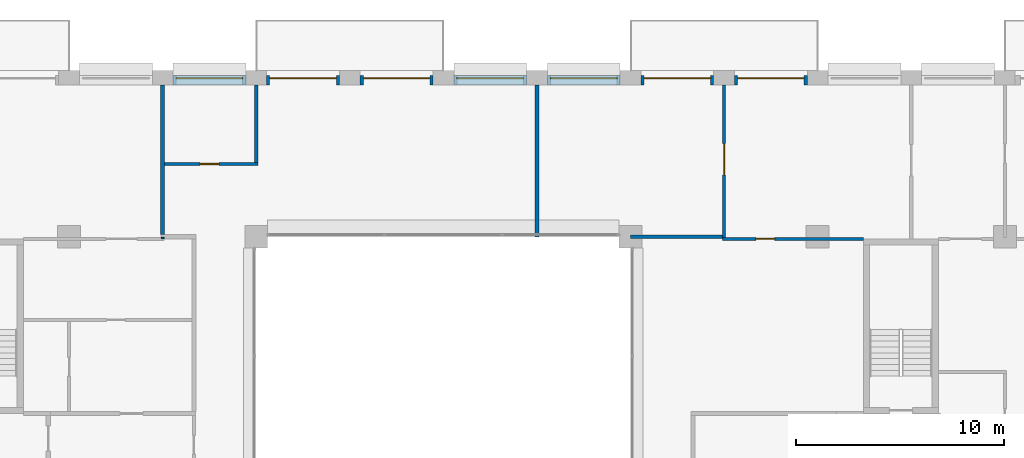
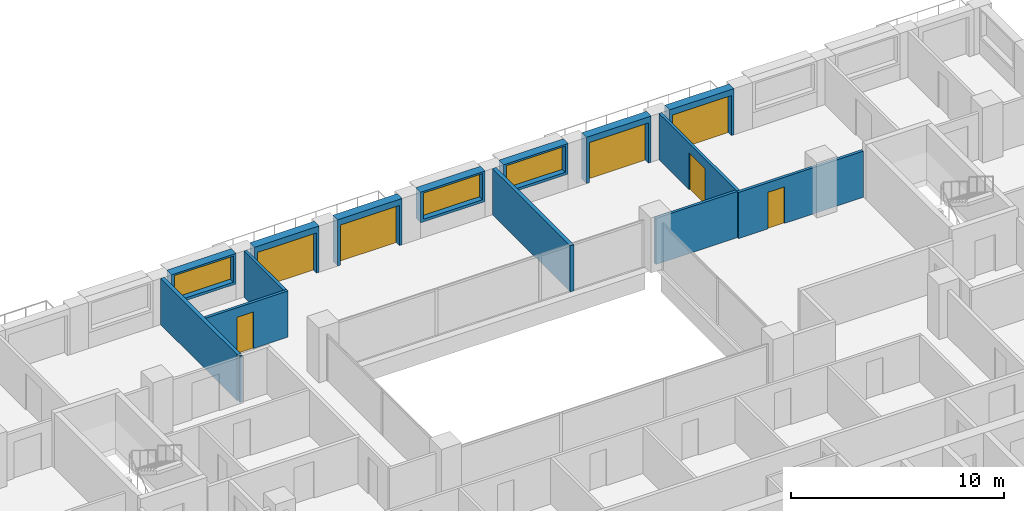
# One storey, part 13 of 16: 15 walls, 7 doors, 3 windows, 10 openings.
"""IFC4 building model written with IfcOpenShell, lengths in metres."""

from ifc_helpers import new_model, si_unit, direction, frame, frame_2d, origin, place, context, subcontext, project, spatial, rectangle, extrude, material, layer, layer_set, type_object, element, fill, save


model = new_model("IFC4")

# Units and contexts
model_context = context("Model", 3, precision=1e-05, world=origin(), true_north=direction((0.0, 1.0)))
body_context = subcontext(model_context, "Body", "Model", "MODEL_VIEW")
ifc_project = project(units=[si_unit("LENGTHUNIT", "METRE"), si_unit("AREAUNIT", "SQUARE_METRE"), si_unit("VOLUMEUNIT", "CUBIC_METRE"), si_unit("PLANEANGLEUNIT", "RADIAN"), si_unit("MASSUNIT", "GRAM", prefix="KILO")], contexts=[model_context])

# Site, building, storey
site_placement = place(None, origin())
site = spatial("IfcSite", under=ifc_project, at=site_placement, CompositionType="ELEMENT")
building_placement = place(site_placement, origin())
building = spatial("IfcBuilding", under=site, at=building_placement, Name="Brigalow Station Residences", CompositionType="ELEMENT")
storey_placement = place(building_placement, frame((0.0, 0.0, 182.25)))
storey = spatial("IfcBuildingStorey", under=building, at=storey_placement, Name="L53", CompositionType="ELEMENT", Elevation=182.25)

# Wall, opening, door
ifc_material_1 = material(Name="Clay brick masonry", Category="masonry")
ifc_layer_1 = layer(ifc_material_1, 0.449951171875)
ifc_layer_set_1 = layer_set([ifc_layer_1], Name="BRICK INFILL WALL 450")
wall_type_1 = type_object("IfcWallType", Name="BRICK INFILL WALL 450", PredefinedType="SOLIDWALL", material=ifc_layer_set_1)
wall_1_placement = place(storey_placement, frame((53.5, 43.02490234375, 0.0), z_axis=(0.0, 0.0, 1.0), x_axis=(-1.0, 0.0, 0.0)))
wall_1 = element("IfcWall", 1, at=wall_1_placement, inside=storey, type_object=wall_type_1, Name="L53/ewall/W-L53-25", PredefinedType="SOLIDWALL", context=body_context, shape_type="SweptSolid", body=[
    extrude(rectangle(XDim=3.5, YDim=0.449951171875, at=frame_2d((1.75, 0.0))), origin(), (0.0, 0.0, 1.0), 2.64990234375),
])
opening_1_placement = place(wall_1_placement, frame((0.14990234375, 0.0, 0.0)))
opening_1 = element("IfcOpeningElement", 2, at=opening_1_placement, cuts=wall_1, Name="Opening D-B3200", PredefinedType="OPENING", context=body_context, shape_type="SweptSolid", body=[
    extrude(rectangle(XDim=3.199951171875, YDim=2.300048828125, at=frame_2d((1.60009765625, 1.14990234375))), frame((0.0, 0.23486328125, 0.0), z_axis=(0.0, -1.0, 0.0), x_axis=(1.0, 0.0, 0.0)), (0.0, 0.0, 1.0), 0.469970703125),
])
ifc_material_2 = material(Name="Anodised aluminium frame with double glazing", Category="aluminium")
door_type_1 = type_object("IfcDoorType", Name="BALCONY SLIDING DOOR 3200x2300", OperationType="SLIDING_TO_LEFT", PredefinedType="DOOR", material=ifc_material_2)
door_1_placement = place(opening_1_placement, origin())
door_1 = element("IfcDoor", 3, at=door_1_placement, inside=storey, type_object=door_type_1, Name="L53/balcony-door/W-L53-25", OperationType="SLIDING_TO_LEFT", OverallHeight=2.300048828125, OverallWidth=3.199951171875, PredefinedType="DOOR", context=body_context, shape_type="SweptSolid", body=[
    extrude(rectangle(XDim=3.199951171875, YDim=2.300048828125, at=frame_2d((1.60009765625, 1.14990234375))), frame((0.0, -0.06982421875, 0.0), z_axis=(0.0, -1.0, 0.0), x_axis=(1.0, 0.0, 0.0)), (0.0, 0.0, 1.0), 0.050048828125),
])
fill(opening_1, door_1)

wall_2_placement = place(storey_placement, frame((49.0, 43.02490234375, 0.0), z_axis=(0.0, 0.0, 1.0), x_axis=(-1.0, 0.0, 0.0)))
wall_2 = element("IfcWall", 4, at=wall_2_placement, inside=storey, type_object=wall_type_1, Name="L53/ewall/W-L53-26", PredefinedType="SOLIDWALL", context=body_context, shape_type="SweptSolid", body=[
    extrude(rectangle(XDim=3.5, YDim=0.449951171875, at=frame_2d((1.75, 0.0))), origin(), (0.0, 0.0, 1.0), 2.64990234375),
])
opening_2_placement = place(wall_2_placement, frame((0.14990234375, 0.0, 0.0)))
opening_2 = element("IfcOpeningElement", 5, at=opening_2_placement, cuts=wall_2, Name="Opening D-B3200", PredefinedType="OPENING", context=body_context, shape_type="SweptSolid", body=[
    extrude(rectangle(XDim=3.199951171875, YDim=2.300048828125, at=frame_2d((1.60009765625, 1.14990234375))), frame((0.0, 0.23486328125, 0.0), z_axis=(0.0, -1.0, 0.0), x_axis=(1.0, 0.0, 0.0)), (0.0, 0.0, 1.0), 0.469970703125),
])
door_2_placement = place(opening_2_placement, origin())
door_2 = element("IfcDoor", 6, at=door_2_placement, inside=storey, type_object=door_type_1, Name="L53/balcony-door/W-L53-26", OperationType="SLIDING_TO_LEFT", OverallHeight=2.300048828125, OverallWidth=3.199951171875, PredefinedType="DOOR", context=body_context, shape_type="SweptSolid", body=[
    extrude(rectangle(XDim=3.199951171875, YDim=2.300048828125, at=frame_2d((1.60009765625, 1.14990234375))), frame((0.0, -0.06982421875, 0.0), z_axis=(0.0, -1.0, 0.0), x_axis=(1.0, 0.0, 0.0)), (0.0, 0.0, 1.0), 0.050048828125),
])
fill(opening_2, door_2)

# Wall, opening, window
wall_3_placement = place(storey_placement, frame((44.5, 43.02490234375, 0.89990234375), z_axis=(0.0, 0.0, 1.0), x_axis=(-1.0, 0.0, 0.0)))
wall_3 = element("IfcWall", 7, at=wall_3_placement, inside=storey, type_object=wall_type_1, Name="L53/ewall/W-L53-27", PredefinedType="SOLIDWALL", context=body_context, shape_type="SweptSolid", body=[
    extrude(rectangle(XDim=3.5, YDim=0.449951171875, at=frame_2d((1.75, 0.0))), origin(), (0.0, 0.0, 1.0), 1.75),
])
opening_3_placement = place(wall_3_placement, frame((0.14990234375, 0.0, 0.14990234375)))
opening_3 = element("IfcOpeningElement", 8, at=opening_3_placement, cuts=wall_3, Name="Opening WT-9", PredefinedType="OPENING", context=body_context, shape_type="SweptSolid", body=[
    extrude(rectangle(XDim=3.199951171875, YDim=1.5, at=frame_2d((1.60009765625, 0.75))), frame((0.0, 0.23486328125, 0.0), z_axis=(0.0, -1.0, 0.0), x_axis=(1.0, 0.0, 0.0)), (0.0, 0.0, 1.0), 0.469970703125),
])
ifc_material_3 = material(Name="Anodised aluminium frame with double glazing", Category="aluminium")
window_type = type_object("IfcWindowType", Name="WINDOW 3200x1500", PartitioningType="SINGLE_PANEL", PredefinedType="WINDOW", material=ifc_material_3)
window_1_placement = place(opening_3_placement, origin())
window_1 = element("IfcWindow", 9, at=window_1_placement, inside=storey, type_object=window_type, Name="L53/window/W-L53-27", OverallHeight=1.5, OverallWidth=3.199951171875, PartitioningType="SINGLE_PANEL", PredefinedType="WINDOW", context=body_context, shape_type="SweptSolid", body=[
    extrude(rectangle(XDim=3.199951171875, YDim=1.5, at=frame_2d((1.60009765625, 0.75))), frame((0.0, -0.06494140625, 0.0), z_axis=(0.0, -1.0, 0.0), x_axis=(1.0, 0.0, 0.0)), (0.0, 0.0, 1.0), 0.06005859375),
])
fill(opening_3, window_1)

wall_4_placement = place(storey_placement, frame((40.0, 43.02490234375, 0.89990234375), z_axis=(0.0, 0.0, 1.0), x_axis=(-1.0, 0.0, 0.0)))
wall_4 = element("IfcWall", 10, at=wall_4_placement, inside=storey, type_object=wall_type_1, Name="L53/ewall/W-L53-28", PredefinedType="SOLIDWALL", context=body_context, shape_type="SweptSolid", body=[
    extrude(rectangle(XDim=3.5, YDim=0.449951171875, at=frame_2d((1.75, 0.0))), origin(), (0.0, 0.0, 1.0), 1.75),
])
opening_4_placement = place(wall_4_placement, frame((0.14990234375, 0.0, 0.14990234375)))
opening_4 = element("IfcOpeningElement", 11, at=opening_4_placement, cuts=wall_4, Name="Opening WT-9", PredefinedType="OPENING", context=body_context, shape_type="SweptSolid", body=[
    extrude(rectangle(XDim=3.199951171875, YDim=1.5, at=frame_2d((1.60009765625, 0.75))), frame((0.0, 0.23486328125, 0.0), z_axis=(0.0, -1.0, 0.0), x_axis=(1.0, 0.0, 0.0)), (0.0, 0.0, 1.0), 0.469970703125),
])
window_2_placement = place(opening_4_placement, origin())
window_2 = element("IfcWindow", 12, at=window_2_placement, inside=storey, type_object=window_type, Name="L53/window/W-L53-28", OverallHeight=1.5, OverallWidth=3.199951171875, PartitioningType="SINGLE_PANEL", PredefinedType="WINDOW", context=body_context, shape_type="SweptSolid", body=[
    extrude(rectangle(XDim=3.199951171875, YDim=1.5, at=frame_2d((1.60009765625, 0.75))), frame((0.0, -0.06494140625, 0.0), z_axis=(0.0, -1.0, 0.0), x_axis=(1.0, 0.0, 0.0)), (0.0, 0.0, 1.0), 0.06005859375),
])
fill(opening_4, window_2)

# Wall, opening, door
wall_5_placement = place(storey_placement, frame((35.5, 43.02490234375, 0.0), z_axis=(0.0, 0.0, 1.0), x_axis=(-1.0, 0.0, 0.0)))
wall_5 = element("IfcWall", 13, at=wall_5_placement, inside=storey, type_object=wall_type_1, Name="L53/ewall/W-L53-29", PredefinedType="SOLIDWALL", context=body_context, shape_type="SweptSolid", body=[
    extrude(rectangle(XDim=3.5, YDim=0.449951171875, at=frame_2d((1.75, 0.0))), origin(), (0.0, 0.0, 1.0), 2.64990234375),
])
opening_5_placement = place(wall_5_placement, frame((0.14990234375, 0.0, 0.0)))
opening_5 = element("IfcOpeningElement", 14, at=opening_5_placement, cuts=wall_5, Name="Opening D-B3200", PredefinedType="OPENING", context=body_context, shape_type="SweptSolid", body=[
    extrude(rectangle(XDim=3.199951171875, YDim=2.300048828125, at=frame_2d((1.60009765625, 1.14990234375))), frame((0.0, 0.23486328125, 0.0), z_axis=(0.0, -1.0, 0.0), x_axis=(1.0, 0.0, 0.0)), (0.0, 0.0, 1.0), 0.469970703125),
])
door_3_placement = place(opening_5_placement, origin())
door_3 = element("IfcDoor", 15, at=door_3_placement, inside=storey, type_object=door_type_1, Name="L53/balcony-door/W-L53-29", OperationType="SLIDING_TO_LEFT", OverallHeight=2.300048828125, OverallWidth=3.199951171875, PredefinedType="DOOR", context=body_context, shape_type="SweptSolid", body=[
    extrude(rectangle(XDim=3.199951171875, YDim=2.300048828125, at=frame_2d((1.60009765625, 1.14990234375))), frame((0.0, -0.06982421875, 0.0), z_axis=(0.0, -1.0, 0.0), x_axis=(1.0, 0.0, 0.0)), (0.0, 0.0, 1.0), 0.050048828125),
])
fill(opening_5, door_3)

wall_6_placement = place(storey_placement, frame((31.0, 43.02490234375, 0.0), z_axis=(0.0, 0.0, 1.0), x_axis=(-1.0, 0.0, 0.0)))
wall_6 = element("IfcWall", 16, at=wall_6_placement, inside=storey, type_object=wall_type_1, Name="L53/ewall/W-L53-30", PredefinedType="SOLIDWALL", context=body_context, shape_type="SweptSolid", body=[
    extrude(rectangle(XDim=3.5, YDim=0.449951171875, at=frame_2d((1.75, 0.0))), origin(), (0.0, 0.0, 1.0), 2.64990234375),
])
opening_6_placement = place(wall_6_placement, frame((0.14990234375, 0.0, 0.0)))
opening_6 = element("IfcOpeningElement", 17, at=opening_6_placement, cuts=wall_6, Name="Opening D-B3200", PredefinedType="OPENING", context=body_context, shape_type="SweptSolid", body=[
    extrude(rectangle(XDim=3.199951171875, YDim=2.300048828125, at=frame_2d((1.60009765625, 1.14990234375))), frame((0.0, 0.23486328125, 0.0), z_axis=(0.0, -1.0, 0.0), x_axis=(1.0, 0.0, 0.0)), (0.0, 0.0, 1.0), 0.469970703125),
])
door_4_placement = place(opening_6_placement, origin())
door_4 = element("IfcDoor", 18, at=door_4_placement, inside=storey, type_object=door_type_1, Name="L53/balcony-door/W-L53-30", OperationType="SLIDING_TO_LEFT", OverallHeight=2.300048828125, OverallWidth=3.199951171875, PredefinedType="DOOR", context=body_context, shape_type="SweptSolid", body=[
    extrude(rectangle(XDim=3.199951171875, YDim=2.300048828125, at=frame_2d((1.60009765625, 1.14990234375))), frame((0.0, -0.06982421875, 0.0), z_axis=(0.0, -1.0, 0.0), x_axis=(1.0, 0.0, 0.0)), (0.0, 0.0, 1.0), 0.050048828125),
])
fill(opening_6, door_4)

# Wall, opening, window
wall_7_placement = place(storey_placement, frame((26.5, 43.02490234375, 0.89990234375), z_axis=(0.0, 0.0, 1.0), x_axis=(-1.0, 0.0, 0.0)))
wall_7 = element("IfcWall", 19, at=wall_7_placement, inside=storey, type_object=wall_type_1, Name="L53/ewall/W-L53-31", PredefinedType="SOLIDWALL", context=body_context, shape_type="SweptSolid", body=[
    extrude(rectangle(XDim=3.5, YDim=0.449951171875, at=frame_2d((1.75, 0.0))), origin(), (0.0, 0.0, 1.0), 1.75),
])
opening_7_placement = place(wall_7_placement, frame((0.14990234375, 0.0, 0.14990234375)))
opening_7 = element("IfcOpeningElement", 20, at=opening_7_placement, cuts=wall_7, Name="Opening WT-9", PredefinedType="OPENING", context=body_context, shape_type="SweptSolid", body=[
    extrude(rectangle(XDim=3.199951171875, YDim=1.5, at=frame_2d((1.60009765625, 0.75))), frame((0.0, 0.23486328125, 0.0), z_axis=(0.0, -1.0, 0.0), x_axis=(1.0, 0.0, 0.0)), (0.0, 0.0, 1.0), 0.469970703125),
])
window_3_placement = place(opening_7_placement, origin())
window_3 = element("IfcWindow", 21, at=window_3_placement, inside=storey, type_object=window_type, Name="L53/window/W-L53-31", OverallHeight=1.5, OverallWidth=3.199951171875, PartitioningType="SINGLE_PANEL", PredefinedType="WINDOW", context=body_context, shape_type="SweptSolid", body=[
    extrude(rectangle(XDim=3.199951171875, YDim=1.5, at=frame_2d((1.60009765625, 0.75))), frame((0.0, -0.06494140625, 0.0), z_axis=(0.0, -1.0, 0.0), x_axis=(1.0, 0.0, 0.0)), (0.0, 0.0, 1.0), 0.06005859375),
])
fill(opening_7, window_3)

# Wall, opening, door
ifc_material_4 = material(Name="Plasterboard on steel stud partition", Category="steel")
ifc_layer_2 = layer(ifc_material_4, 0.14990234375)
ifc_layer_set_2 = layer_set([ifc_layer_2], Name="FLAT PARTITION 150")
wall_type_2 = type_object("IfcWallType", Name="FLAT PARTITION 150", PredefinedType="PARTITIONING", material=ifc_layer_set_2)
wall_8_placement = place(storey_placement, frame((49.425048828125, 35.39990234375, 0.0), z_axis=(0.0, 0.0, 1.0), x_axis=(1.0, 0.0, 0.0)))
wall_8 = element("IfcWall", 22, at=wall_8_placement, inside=storey, type_object=wall_type_2, Name="PW-3F12", PredefinedType="PARTITIONING", context=body_context, shape_type="SweptSolid", body=[
    extrude(rectangle(XDim=6.77490234375, YDim=0.14990234375, at=frame_2d((3.387451171875, 0.0))), origin(), (0.0, 0.0, 1.0), 2.64990234375),
])
opening_8_placement = place(wall_8_placement, frame((1.60009765625, 0.0, 0.0)))
opening_8 = element("IfcOpeningElement", 23, at=opening_8_placement, cuts=wall_8, Name="Opening D-3F34", PredefinedType="OPENING", context=body_context, shape_type="SweptSolid", body=[
    extrude(rectangle(XDim=0.89990234375, YDim=2.10009765625, at=frame_2d((0.449951171875, 1.050048828125))), frame((0.0, 0.0849609375, 0.0), z_axis=(0.0, -1.0, 0.0), x_axis=(1.0, 0.0, 0.0)), (0.0, 0.0, 1.0), 0.169921875),
])
ifc_material_5 = material(Name="Solid-core timber door leaf", Category="wood")
door_type_2 = type_object("IfcDoorType", Name="INTERNAL DOOR 900 x 2100", OperationType="SINGLE_SWING_LEFT", PredefinedType="DOOR", material=ifc_material_5)
door_5_placement = place(opening_8_placement, origin())
door_5 = element("IfcDoor", 24, at=door_5_placement, inside=storey, type_object=door_type_2, Name="D-3F34", OperationType="SINGLE_SWING_LEFT", OverallHeight=2.10009765625, OverallWidth=0.89990234375, PredefinedType="DOOR", context=body_context, shape_type="SweptSolid", body=[
    extrude(rectangle(XDim=0.89990234375, YDim=2.10009765625, at=frame_2d((0.449951171875, 1.050048828125))), frame((0.0, 0.02490234375, 0.0), z_axis=(0.0, -1.0, 0.0), x_axis=(1.0, 0.0, 0.0)), (0.0, 0.0, 1.0), 0.050048828125),
])
fill(opening_8, door_5)

# Wall
wall_9_placement = place(storey_placement, frame((45.0, 35.5, 0.0), z_axis=(0.0, 0.0, 1.0), x_axis=(1.0, 0.0, 0.0)))
element("IfcWall", 25, at=wall_9_placement, inside=storey, type_object=wall_type_2, Name="PW-3F14", PredefinedType="PARTITIONING", context=body_context, shape_type="SweptSolid", body=[
    extrude(rectangle(XDim=4.425048828125, YDim=0.14990234375, at=frame_2d((2.21240234375, 0.0))), origin(), (0.0, 0.0, 1.0), 2.64990234375),
])

# Wall, opening, door
wall_10_placement = place(storey_placement, frame((22.60009765625, 39.0, 0.0), z_axis=(0.0, 0.0, 1.0), x_axis=(1.0, 0.0, 0.0)))
wall_10 = element("IfcWall", 26, at=wall_10_placement, inside=storey, type_object=wall_type_2, Name="PW-3F26", PredefinedType="PARTITIONING", context=body_context, shape_type="SweptSolid", body=[
    extrude(rectangle(XDim=4.474853515625, YDim=0.14990234375, at=frame_2d((2.2373046875, 0.0))), origin(), (0.0, 0.0, 1.0), 2.64990234375),
])
opening_9_placement = place(wall_10_placement, frame((1.699951171875, 0.0, 0.0)))
opening_9 = element("IfcOpeningElement", 27, at=opening_9_placement, cuts=wall_10, Name="Opening D-3F37", PredefinedType="OPENING", context=body_context, shape_type="SweptSolid", body=[
    extrude(rectangle(XDim=0.89990234375, YDim=2.10009765625, at=frame_2d((0.449951171875, 1.050048828125))), frame((0.0, 0.0849609375, 0.0), z_axis=(0.0, -1.0, 0.0), x_axis=(1.0, 0.0, 0.0)), (0.0, 0.0, 1.0), 0.169921875),
])
door_6_placement = place(opening_9_placement, origin())
door_6 = element("IfcDoor", 28, at=door_6_placement, inside=storey, type_object=door_type_2, Name="D-3F37", OperationType="SINGLE_SWING_LEFT", OverallHeight=2.10009765625, OverallWidth=0.89990234375, PredefinedType="DOOR", context=body_context, shape_type="SweptSolid", body=[
    extrude(rectangle(XDim=0.89990234375, YDim=2.10009765625, at=frame_2d((0.449951171875, 1.050048828125))), frame((0.0, 0.02490234375, 0.0), z_axis=(0.0, -1.0, 0.0), x_axis=(1.0, 0.0, 0.0)), (0.0, 0.0, 1.0), 0.050048828125),
])
fill(opening_9, door_6)

# Wall
wall_11_placement = place(storey_placement, frame((22.5, 35.39990234375, 0.0), z_axis=(0.0, 0.0, 1.0), x_axis=(0.0, 1.0, 0.0)))
element("IfcWall", 29, at=wall_11_placement, inside=storey, type_object=wall_type_2, Name="PW-3F38", PredefinedType="PARTITIONING", context=body_context, shape_type="SweptSolid", body=[
    extrude(rectangle(XDim=0.0751953125, YDim=0.14990234375, at=frame_2d((0.03759765625, 0.0))), origin(), (0.0, 0.0, 1.0), 2.64990234375),
])

# Wall, opening, door
wall_12_placement = place(storey_placement, frame((49.5, 35.47509765625, 0.0), z_axis=(0.0, 0.0, 1.0), x_axis=(0.0, 1.0, 0.0)))
wall_12 = element("IfcWall", 30, at=wall_12_placement, inside=storey, type_object=wall_type_2, Name="PW-3F52", PredefinedType="PARTITIONING", context=body_context, shape_type="SweptSolid", body=[
    extrude(rectangle(XDim=7.324951171875, YDim=0.14990234375, at=frame_2d((3.66259765625, 0.0))), origin(), (0.0, 0.0, 1.0), 2.64990234375),
])
opening_10_placement = place(wall_12_placement, frame((3.0, 0.0, 0.0)))
opening_10 = element("IfcOpeningElement", 31, at=opening_10_placement, cuts=wall_12, Name="Opening D-3F33", PredefinedType="OPENING", context=body_context, shape_type="SweptSolid", body=[
    extrude(rectangle(XDim=1.5, YDim=2.10009765625, at=frame_2d((0.75, 1.050048828125))), frame((0.0, 0.0849609375, 0.0), z_axis=(0.0, -1.0, 0.0), x_axis=(1.0, 0.0, 0.0)), (0.0, 0.0, 1.0), 0.169921875),
])
ifc_material_6 = material(Name="Solid-core timber door leaf", Category="wood")
door_type_3 = type_object("IfcDoorType", Name="INTERNAL DOUBLE DOOR 1500 x 2100", OperationType="DOUBLE_DOOR_SINGLE_SWING", PredefinedType="DOOR", material=ifc_material_6)
door_7_placement = place(opening_10_placement, origin())
door_7 = element("IfcDoor", 32, at=door_7_placement, inside=storey, type_object=door_type_3, Name="D-3F33", OperationType="DOUBLE_DOOR_SINGLE_SWING", OverallHeight=2.10009765625, OverallWidth=1.5, PredefinedType="DOOR", context=body_context, shape_type="SweptSolid", body=[
    extrude(rectangle(XDim=1.5, YDim=2.10009765625, at=frame_2d((0.75, 1.050048828125))), frame((0.0, 0.02490234375, 0.0), z_axis=(0.0, -1.0, 0.0), x_axis=(1.0, 0.0, 0.0)), (0.0, 0.0, 1.0), 0.050048828125),
])
fill(opening_10, door_7)

# Walls
wall_13_placement = place(storey_placement, frame((27.0, 39.074951171875, 0.0), z_axis=(0.0, 0.0, 1.0), x_axis=(0.0, 1.0, 0.0)))
element("IfcWall", 33, at=wall_13_placement, inside=storey, type_object=wall_type_2, Name="PW-3F54", PredefinedType="PARTITIONING", context=body_context, shape_type="SweptSolid", body=[
    extrude(rectangle(XDim=3.72509765625, YDim=0.14990234375, at=frame_2d((1.862548828125, 0.0))), origin(), (0.0, 0.0, 1.0), 2.64990234375),
])
ifc_material_7 = material(Name="Plasterboard on steel stud partition", Category="steel")
ifc_layer_3 = layer(ifc_material_7, 0.199951171875)
ifc_layer_set_3 = layer_set([ifc_layer_3], Name="PARTY AND CORRIDOR WALL 200")
wall_type_3 = type_object("IfcWallType", Name="PARTY AND CORRIDOR WALL 200", PredefinedType="PARTITIONING", material=ifc_layer_set_3)
wall_14_placement = place(storey_placement, frame((22.5, 35.60009765625, 0.0), z_axis=(0.0, 0.0, 1.0), x_axis=(0.0, 1.0, 0.0)))
element("IfcWall", 34, at=wall_14_placement, inside=storey, type_object=wall_type_3, Name="PW-3F39", PredefinedType="PARTITIONING", context=body_context, shape_type="SweptSolid", body=[
    extrude(rectangle(XDim=7.199951171875, YDim=0.199951171875, at=frame_2d((3.60009765625, 0.0))), origin(), (0.0, 0.0, 1.0), 2.64990234375),
])
wall_15_placement = place(storey_placement, frame((40.5, 35.5, 0.0), z_axis=(0.0, 0.0, 1.0), x_axis=(0.0, 1.0, 0.0)))
element("IfcWall", 35, at=wall_15_placement, inside=storey, type_object=wall_type_3, Name="PW-3F53", PredefinedType="PARTITIONING", context=body_context, shape_type="SweptSolid", body=[
    extrude(rectangle(XDim=7.300048828125, YDim=0.199951171875, at=frame_2d((3.64990234375, 0.0))), origin(), (0.0, 0.0, 1.0), 2.64990234375),
])

save(model, "model.ifc")
